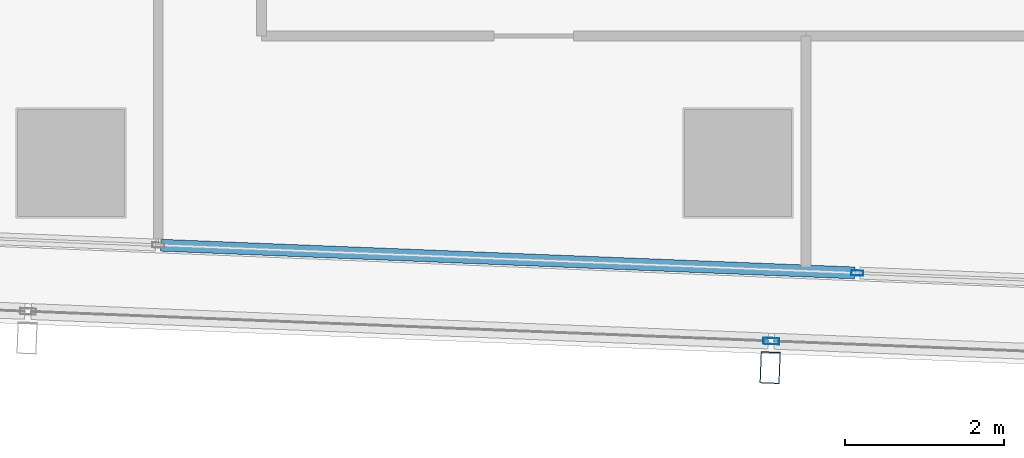
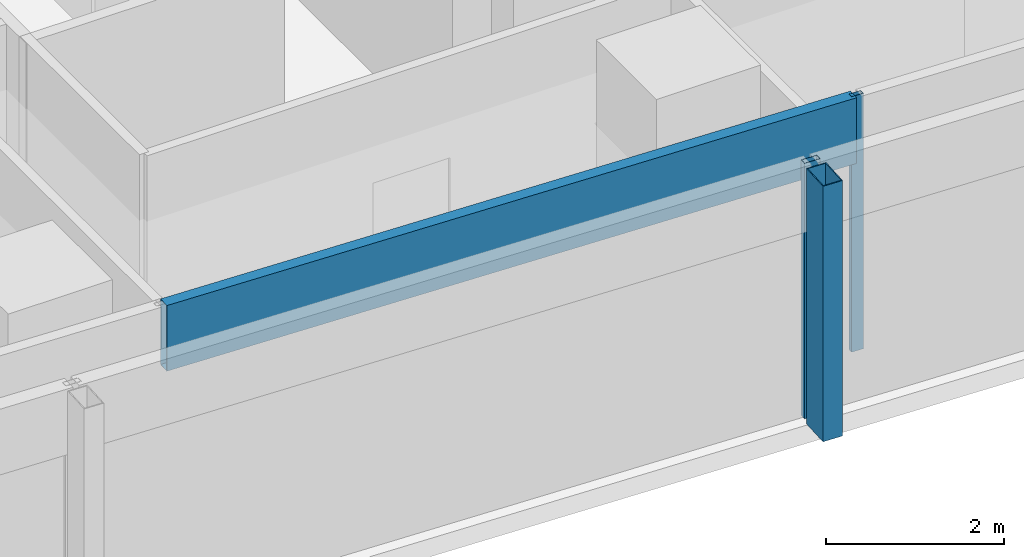
# One storey, part 6 of 40: 4 members, 2 elements without a shape of their own.
"""IFC4 building model written with IfcOpenShell, lengths in metres."""

from ifc_helpers import new_model, si_unit, direction, frame, origin, origin_2d, place, context, subcontext, project, spatial, hollow_rectangle, extrude, material, material_profile, profile_set, type_object, element, aggregate, save


model = new_model("IFC4")

# Units and contexts
model_context = context("Model", 3, precision=1e-05, world=origin(), true_north=direction((0.0, 1.0)))
body_context = subcontext(model_context, "Body", "Model", "MODEL_VIEW")
ifc_project = project(units=[si_unit("LENGTHUNIT", "METRE"), si_unit("AREAUNIT", "SQUARE_METRE"), si_unit("VOLUMEUNIT", "CUBIC_METRE"), si_unit("PLANEANGLEUNIT", "RADIAN"), si_unit("MASSUNIT", "GRAM", prefix="KILO")], contexts=[model_context])

# Site, building, storey
site_placement = place(None, origin())
site = spatial("IfcSite", under=ifc_project, at=site_placement, CompositionType="ELEMENT")
building_placement = place(site_placement, origin())
building = spatial("IfcBuilding", under=site, at=building_placement, Name="Rekha Terrace Tower", CompositionType="ELEMENT")
storey_placement = place(building_placement, frame((0.0, 0.0, 210.199951171875)))
storey = spatial("IfcBuildingStorey", under=building, at=storey_placement, Name="L53", CompositionType="ELEMENT", Elevation=210.199951171875)

# Curtain wall, member
ifc_material_1 = material(Name="Aluminium framing", Category="aluminium")
curtain_wall_type_1 = type_object("IfcCurtainWallType", Name="CW2 double skin outer glazing", PredefinedType="USERDEFINED", material=ifc_material_1)
curtain_wall_1_placement = place(storey_placement, origin())
curtain_wall_1 = element("IfcCurtainWall", 1, at=curtain_wall_1_placement, inside=storey, type_object=curtain_wall_type_1, Name="CW2 double skin outer glazing", ObjectType="DOUBLE SKIN OUTER GLAZING", PredefinedType="USERDEFINED")
ifc_material_2 = material(Name="Steel S355 with fluorocarbon finish", Category="steel")
ifc_material_profile_1 = material_profile(ifc_material_2, hollow_rectangle(XDim=0.25, YDim=0.39990234375, WallThickness=0.012451171875, at=origin_2d()), Name="RHS400x250x12.5")
ifc_profile_set_1 = profile_set([ifc_material_profile_1], Name="Steel S355 with fluorocarbon finish")
member_type_1 = type_object("IfcMemberType", Name="BL1 facade blade RHS 400 x 250", PredefinedType="USERDEFINED", material=ifc_profile_set_1)
member_1_placement = place(storey_placement, frame((25.60498046875, 14.222412109375, 0.0), z_axis=(0.0, 0.0, 1.0), x_axis=(0.999204797763, -0.039871946621, 0.0)))
member_1 = element("IfcMember", 2, at=member_1_placement, type_object=member_type_1, Name="Facade blade", ObjectType="FACADE BLADE", PredefinedType="USERDEFINED", context=body_context, shape_type="SweptSolid", body=[
    extrude(hollow_rectangle(XDim=0.25, YDim=0.39990234375, WallThickness=0.012451171875, at=origin_2d()), origin(), (0.0, 0.0, 1.0), 3.5),
])

# Curtain wall, members
curtain_wall_type_2 = type_object("IfcCurtainWallType", Name="CW1 double skin inner glazing", PredefinedType="USERDEFINED", material=ifc_material_1)
curtain_wall_2_placement = place(storey_placement, origin())
curtain_wall_2 = element("IfcCurtainWall", 3, at=curtain_wall_2_placement, inside=storey, type_object=curtain_wall_type_2, Name="CW1 double skin inner glazing", ObjectType="DOUBLE SKIN INNER GLAZING", PredefinedType="USERDEFINED")
ifc_material_3 = material(Name="Aluminium mullion section", Category="aluminium")
ifc_material_profile_2 = material_profile(ifc_material_3, hollow_rectangle(XDim=0.06494140625, YDim=0.14990234375, WallThickness=0.00390625, at=origin_2d()), Name="AL RHS 65x150")
ifc_profile_set_2 = profile_set([ifc_material_profile_2], Name="Aluminium mullion section")
member_type_2 = type_object("IfcMemberType", Name="CW1 mullion RHS 65 x 150", PredefinedType="MULLION", material=ifc_profile_set_2)
member_2_placement = place(storey_placement, frame((26.703369140625, 15.41455078125, 0.0), z_axis=(0.0, 0.0, 1.0), x_axis=(0.039872497061, 0.999204775798, 0.0)))
member_2 = element("IfcMember", 4, at=member_2_placement, type_object=member_type_2, Name="CW1 mullion 3", PredefinedType="MULLION", context=body_context, shape_type="SweptSolid", body=[
    extrude(hollow_rectangle(XDim=0.06494140625, YDim=0.14990234375, WallThickness=0.00390625, at=origin_2d()), origin(), (0.0, 0.0, 1.0), 3.5),
])
ifc_material_4 = material(Name="Insulated aluminium spandrel box", Category="aluminium")
ifc_material_profile_3 = material_profile(ifc_material_4, hollow_rectangle(XDim=0.14990234375, YDim=0.89990234375, WallThickness=0.0029296875, at=origin_2d()), Name="AL SPANDREL BOX 150x900")
ifc_profile_set_3 = profile_set([ifc_material_profile_3], Name="Insulated aluminium spandrel box")
member_type_3 = type_object("IfcMemberType", Name="CW1 spandrel transom 150 x 900", PredefinedType="USERDEFINED", material=ifc_profile_set_3)
member_3_placement = place(storey_placement, frame((17.931396484375, 15.7646484375, 3.050048828125), z_axis=(0.999205278064, -0.039859908291, 0.0), x_axis=(0.039859908291, 0.999205278064, 0.0)))
member_3 = element("IfcMember", 5, at=member_3_placement, type_object=member_type_3, Name="CW1 spandrel transom 2", ObjectType="TRANSOM", PredefinedType="USERDEFINED", context=body_context, shape_type="SweptSolid", body=[
    extrude(hollow_rectangle(XDim=0.14990234375, YDim=0.89990234375, WallThickness=0.0029296875, at=origin_2d()), origin(), (0.0, 0.0, 1.0), 8.746337890625),
])
aggregate(curtain_wall_2, [member_2, member_3])

# Member
ifc_material_profile_4 = material_profile(ifc_material_3, hollow_rectangle(XDim=0.080078125, YDim=0.199951171875, WallThickness=0.00390625, at=origin_2d()), Name="AL RHS 80x200")
ifc_profile_set_4 = profile_set([ifc_material_profile_4], Name="Aluminium mullion section")
member_type_4 = type_object("IfcMemberType", Name="CW2 mullion RHS 80 x 200", PredefinedType="MULLION", material=ifc_profile_set_4)
member_4_placement = place(storey_placement, frame((25.618408203125, 14.55712890625, 0.0), z_axis=(0.0, 0.0, 1.0), x_axis=(0.039872497044, 0.999204775799, 0.0)))
member_4 = element("IfcMember", 6, at=member_4_placement, type_object=member_type_4, Name="CW2 mullion 3", PredefinedType="MULLION", context=body_context, shape_type="SweptSolid", body=[
    extrude(hollow_rectangle(XDim=0.080078125, YDim=0.199951171875, WallThickness=0.00390625, at=origin_2d()), origin(), (0.0, 0.0, 1.0), 3.5),
])

aggregate(curtain_wall_1, [member_4, member_1])

save(model, "model.ifc")
